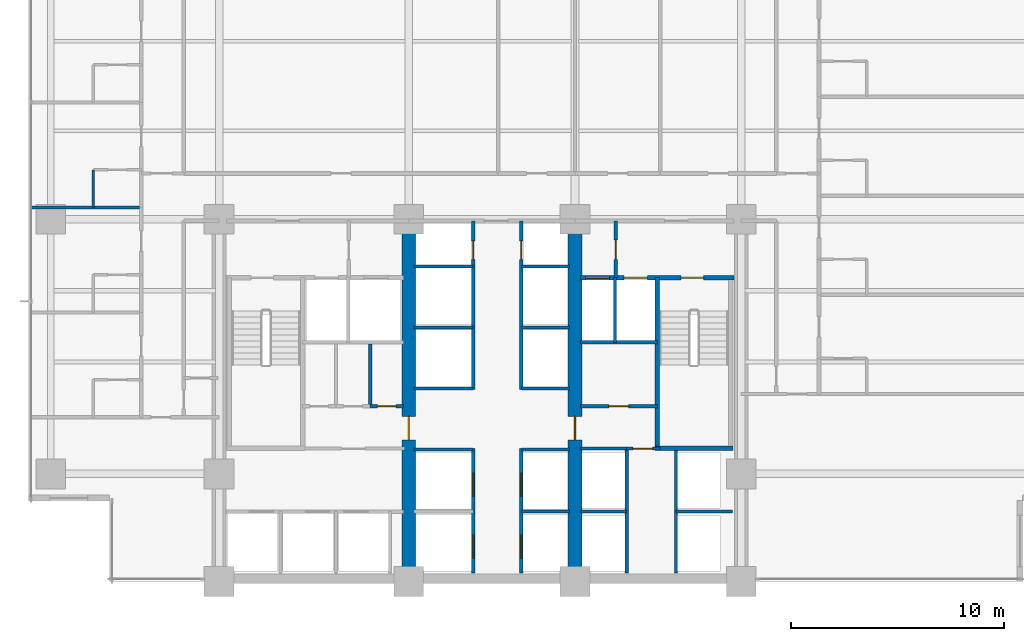
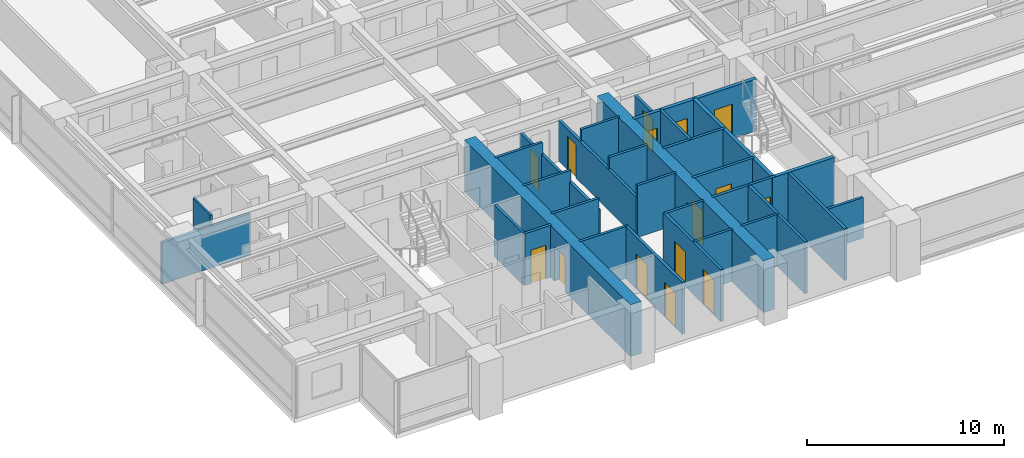
# One storey, part 8 of 16: 32 walls, 15 doors, 15 openings.
"""IFC4 building model written with IfcOpenShell, lengths in metres."""

from ifc_helpers import new_model, si_unit, direction, frame, frame_2d, origin, place, context, subcontext, project, spatial, rectangle, extrude, material, layer, layer_set, type_object, element, fill, save


model = new_model("IFC4")

# Units and contexts
model_context = context("Model", 3, precision=1e-05, world=origin(), true_north=direction((0.0, 1.0)))
body_context = subcontext(model_context, "Body", "Model", "MODEL_VIEW")
ifc_project = project(units=[si_unit("LENGTHUNIT", "METRE"), si_unit("AREAUNIT", "SQUARE_METRE"), si_unit("VOLUMEUNIT", "CUBIC_METRE"), si_unit("PLANEANGLEUNIT", "RADIAN"), si_unit("MASSUNIT", "GRAM", prefix="KILO")], contexts=[model_context])

# Site, building, storey
site_placement = place(None, origin())
site = spatial("IfcSite", under=ifc_project, at=site_placement, CompositionType="ELEMENT")
building_placement = place(site_placement, origin())
building = spatial("IfcBuilding", under=site, at=building_placement, Name="Qalmaran Belvedere Hotel", CompositionType="ELEMENT")
storey_placement = place(building_placement, frame((0.0, 0.0, 57.89990234375)))
storey = spatial("IfcBuildingStorey", under=building, at=storey_placement, Name="L14", CompositionType="ELEMENT", Elevation=57.89990234375)

# Wall, opening, door
ifc_material_1 = material(Name="Concrete C60/75", Category="concrete")
ifc_layer_1 = layer(ifc_material_1, 0.64990234375, Name="Concrete C60/75")
ifc_layer_set_1 = layer_set([ifc_layer_1], Name="Concrete C60/75")
wall_type_1 = type_object("IfcWallType", Name="WL-CORE-650-C60", PredefinedType="SHEAR", material=ifc_layer_set_1)
wall_1_placement = place(storey_placement, frame((29.199951171875, 3.5, 0.0), z_axis=(0.0, 0.0, 1.0), x_axis=(0.0, 1.0, 0.0)))
wall_1 = element("IfcWall", 1, at=wall_1_placement, inside=storey, type_object=wall_type_1, Name="L14 Core West Spine Shear Wall", PredefinedType="SHEAR", context=body_context, shape_type="SweptSolid", body=[
    extrude(rectangle(XDim=16.89990234375, YDim=0.64990234375, at=frame_2d((8.449951171875, 0.0))), origin(), (0.0, 0.0, 1.0), 3.22021484375),
])
opening_1_placement = place(wall_1_placement, frame((7.75, 0.0, 0.0), z_axis=(0.0, 0.0, 1.0), x_axis=(-1.0, 0.0, 0.0)))
opening_1 = element("IfcOpeningElement", 2, at=opening_1_placement, cuts=wall_1, Name="Opening FD90", PredefinedType="OPENING", context=body_context, shape_type="SweptSolid", body=[
    extrude(rectangle(XDim=1.10009765625, YDim=2.14990234375, at=frame_2d((0.550048828125, 1.074951171875))), frame((0.0, 0.3349609375, 0.0), z_axis=(0.0, -1.0, 0.0), x_axis=(1.0, 0.0, 0.0)), (0.0, 0.0, 1.0), 0.669921875),
])
ifc_material_2 = material(Name="Steel S355JR", Category="steel")
door_type_1 = type_object("IfcDoorType", Name="DR-FD90-1100X2150", OperationType="NOTDEFINED", PredefinedType="DOOR", material=ifc_material_2)
door_1_placement = place(opening_1_placement, origin())
door_1 = element("IfcDoor", 3, at=door_1_placement, inside=storey, type_object=door_type_1, Name="L14 Core West Cross-Lobby Door", OperationType="SINGLE_SWING_RIGHT", OverallHeight=2.14990234375, OverallWidth=1.10009765625, PredefinedType="DOOR", context=body_context, shape_type="SweptSolid", body=[
    extrude(rectangle(XDim=1.10009765625, YDim=2.14990234375, at=frame_2d((0.550048828125, 1.074951171875))), frame((0.0, 0.02490234375, 0.0), z_axis=(0.0, -1.0, 0.0), x_axis=(1.0, 0.0, 0.0)), (0.0, 0.0, 1.0), 0.050048828125),
])
fill(opening_1, door_1)

wall_2_placement = place(storey_placement, frame((37.0, 3.5, 0.0), z_axis=(0.0, 0.0, 1.0), x_axis=(0.0, 1.0, 0.0)))
wall_2 = element("IfcWall", 4, at=wall_2_placement, inside=storey, type_object=wall_type_1, Name="L14 Core East Spine Shear Wall", PredefinedType="SHEAR", context=body_context, shape_type="SweptSolid", body=[
    extrude(rectangle(XDim=16.89990234375, YDim=0.64990234375, at=frame_2d((8.449951171875, 0.0))), origin(), (0.0, 0.0, 1.0), 3.22021484375),
])
opening_2_placement = place(wall_2_placement, frame((6.64990234375, 0.0, 0.0)))
opening_2 = element("IfcOpeningElement", 5, at=opening_2_placement, cuts=wall_2, Name="Opening FD90", PredefinedType="OPENING", context=body_context, shape_type="SweptSolid", body=[
    extrude(rectangle(XDim=1.10009765625, YDim=2.14990234375, at=frame_2d((0.550048828125, 1.074951171875))), frame((0.0, 0.3349609375, 0.0), z_axis=(0.0, -1.0, 0.0), x_axis=(1.0, 0.0, 0.0)), (0.0, 0.0, 1.0), 0.669921875),
])
door_2_placement = place(opening_2_placement, origin())
door_2 = element("IfcDoor", 6, at=door_2_placement, inside=storey, type_object=door_type_1, Name="L14 Core East Cross-Lobby Door", OperationType="SINGLE_SWING_LEFT", OverallHeight=2.14990234375, OverallWidth=1.10009765625, PredefinedType="DOOR", context=body_context, shape_type="SweptSolid", body=[
    extrude(rectangle(XDim=1.10009765625, YDim=2.14990234375, at=frame_2d((0.550048828125, 1.074951171875))), frame((0.0, 0.02490234375, 0.0), z_axis=(0.0, -1.0, 0.0), x_axis=(1.0, 0.0, 0.0)), (0.0, 0.0, 1.0), 0.050048828125),
])
fill(opening_2, door_2)

# Walls
ifc_material_3 = material(Name="Moisture-Resistant Gypsum")
ifc_layer_2 = layer(ifc_material_3, 0.1201171875, Name="Moisture-Resistant Gypsum")
ifc_layer_set_2 = layer_set([ifc_layer_2], Name="Moisture-Resistant Gypsum")
wall_type_2 = type_object("IfcWallType", Name="WL-INT-120-BATH", PredefinedType="PARTITIONING", material=ifc_layer_set_2)
wall_3_placement = place(storey_placement, frame((14.39990234375, 21.050048828125, 0.0), z_axis=(0.0, 0.0, 1.0), x_axis=(0.0, 1.0, 0.0)))
element("IfcWall", 7, at=wall_3_placement, inside=storey, type_object=wall_type_2, Name="L14 Partition WL-L14-WBS02", PredefinedType="PARTITIONING", context=body_context, shape_type="SweptSolid", body=[
    extrude(rectangle(XDim=1.77001953125, YDim=0.1201171875, at=frame_2d((0.885009765625, 0.0))), origin(), (0.0, 0.0, 1.0), 3.22021484375),
])
ifc_material_4 = material(Name="Gypsum Stud Partition")
ifc_layer_3 = layer(ifc_material_4, 0.14990234375, Name="Gypsum Stud Partition")
ifc_layer_set_3 = layer_set([ifc_layer_3], Name="Gypsum Stud Partition")
wall_type_3 = type_object("IfcWallType", Name="WL-INT-150-EI120", PredefinedType="PARTITIONING", material=ifc_layer_set_3)
wall_4_placement = place(storey_placement, frame((38.8798828125, 14.719970703125, 0.0), z_axis=(0.0, 0.0, 1.0), x_axis=(0.0, 1.0, 0.0)))
element("IfcWall", 8, at=wall_4_placement, inside=storey, type_object=wall_type_3, Name="L14 Partition WL-FF2M-L14", PredefinedType="PARTITIONING", context=body_context, shape_type="SweptSolid", body=[
    extrude(rectangle(XDim=3.0400390625, YDim=0.14990234375, at=frame_2d((1.52001953125, 0.0))), origin(), (0.0, 0.0, 1.0), 3.22021484375),
])
wall_5_placement = place(storey_placement, frame((37.25, 6.780029296875, 0.0), z_axis=(0.0, 0.0, 1.0), x_axis=(1.0, 0.0, 0.0)))
element("IfcWall", 9, at=wall_5_placement, inside=storey, type_object=wall_type_3, Name="L14 Partition WL-PHMW-L14", PredefinedType="PARTITIONING", context=body_context, shape_type="SweptSolid", body=[
    extrude(rectangle(XDim=2.169921875, YDim=0.14990234375, at=frame_2d((1.0849609375, 0.0))), origin(), (0.0, 0.0, 1.0), 3.22021484375),
])
wall_6_placement = place(storey_placement, frame((41.739990234375, 6.780029296875, 0.0), z_axis=(0.0, 0.0, 1.0), x_axis=(1.0, 0.0, 0.0)))
element("IfcWall", 10, at=wall_6_placement, inside=storey, type_object=wall_type_3, Name="L14 Partition WL-PHME-L14", PredefinedType="PARTITIONING", context=body_context, shape_type="SweptSolid", body=[
    extrude(rectangle(XDim=2.659912109375, YDim=0.14990234375, at=frame_2d((1.330078125, 0.0))), origin(), (0.0, 0.0, 1.0), 2.510009765625),
])
wall_7_placement = place(storey_placement, frame((34.47998046875, 6.780029296875, 0.0), z_axis=(0.0, 0.0, 1.0), x_axis=(1.0, 0.0, 0.0)))
element("IfcWall", 11, at=wall_7_placement, inside=storey, type_object=wall_type_3, Name="L14 Partition WL-PLE-L14-67", PredefinedType="PARTITIONING", context=body_context, shape_type="SweptSolid", body=[
    extrude(rectangle(XDim=2.27001953125, YDim=0.14990234375, at=frame_2d((1.135009765625, 0.0))), origin(), (0.0, 0.0, 1.0), 3.22021484375),
])
wall_8_placement = place(storey_placement, frame((29.449951171875, 9.699951171875, 0.0), z_axis=(0.0, 0.0, 1.0), x_axis=(1.0, 0.0, 0.0)))
element("IfcWall", 12, at=wall_8_placement, inside=storey, type_object=wall_type_3, Name="L14 Partition WL-PLW-L14-97", PredefinedType="PARTITIONING", context=body_context, shape_type="SweptSolid", body=[
    extrude(rectangle(XDim=2.77001953125, YDim=0.14990234375, at=frame_2d((1.385009765625, 0.0))), origin(), (0.0, 0.0, 1.0), 3.22021484375),
])
wall_9_placement = place(storey_placement, frame((34.47998046875, 9.699951171875, 0.0), z_axis=(0.0, 0.0, 1.0), x_axis=(1.0, 0.0, 0.0)))
element("IfcWall", 13, at=wall_9_placement, inside=storey, type_object=wall_type_3, Name="L14 Partition WL-PLE-L14-97", PredefinedType="PARTITIONING", context=body_context, shape_type="SweptSolid", body=[
    extrude(rectangle(XDim=2.27001953125, YDim=0.14990234375, at=frame_2d((1.135009765625, 0.0))), origin(), (0.0, 0.0, 1.0), 3.22021484375),
])
wall_10_placement = place(storey_placement, frame((29.449951171875, 12.550048828125, 0.0), z_axis=(0.0, 0.0, 1.0), x_axis=(1.0, 0.0, 0.0)))
element("IfcWall", 14, at=wall_10_placement, inside=storey, type_object=wall_type_3, Name="L14 Partition WL-PMW-L14-125", PredefinedType="PARTITIONING", context=body_context, shape_type="SweptSolid", body=[
    extrude(rectangle(XDim=2.77001953125, YDim=0.14990234375, at=frame_2d((1.385009765625, 0.0))), origin(), (0.0, 0.0, 1.0), 3.22021484375),
])
wall_11_placement = place(storey_placement, frame((34.47998046875, 12.550048828125, 0.0), z_axis=(0.0, 0.0, 1.0), x_axis=(1.0, 0.0, 0.0)))
element("IfcWall", 15, at=wall_11_placement, inside=storey, type_object=wall_type_3, Name="L14 Partition WL-PME-L14-125", PredefinedType="PARTITIONING", context=body_context, shape_type="SweptSolid", body=[
    extrude(rectangle(XDim=2.27001953125, YDim=0.14990234375, at=frame_2d((1.135009765625, 0.0))), origin(), (0.0, 0.0, 1.0), 3.22021484375),
])
wall_12_placement = place(storey_placement, frame((29.449951171875, 15.419921875, 0.0), z_axis=(0.0, 0.0, 1.0), x_axis=(1.0, 0.0, 0.0)))
element("IfcWall", 16, at=wall_12_placement, inside=storey, type_object=wall_type_3, Name="L14 Partition WL-PMW-L14-154", PredefinedType="PARTITIONING", context=body_context, shape_type="SweptSolid", body=[
    extrude(rectangle(XDim=2.77001953125, YDim=0.14990234375, at=frame_2d((1.385009765625, 0.0))), origin(), (0.0, 0.0, 1.0), 3.22021484375),
])
wall_13_placement = place(storey_placement, frame((34.47998046875, 15.419921875, 0.0), z_axis=(0.0, 0.0, 1.0), x_axis=(1.0, 0.0, 0.0)))
element("IfcWall", 17, at=wall_13_placement, inside=storey, type_object=wall_type_3, Name="L14 Partition WL-PME-L14-154", PredefinedType="PARTITIONING", context=body_context, shape_type="SweptSolid", body=[
    extrude(rectangle(XDim=2.27001953125, YDim=0.14990234375, at=frame_2d((1.135009765625, 0.0))), origin(), (0.0, 0.0, 1.0), 3.22021484375),
])
wall_14_placement = place(storey_placement, frame((29.449951171875, 18.280029296875, 0.0), z_axis=(0.0, 0.0, 1.0), x_axis=(1.0, 0.0, 0.0)))
element("IfcWall", 18, at=wall_14_placement, inside=storey, type_object=wall_type_3, Name="L14 Partition WL-PMW-L14-182", PredefinedType="PARTITIONING", context=body_context, shape_type="SweptSolid", body=[
    extrude(rectangle(XDim=2.77001953125, YDim=0.14990234375, at=frame_2d((1.385009765625, 0.0))), origin(), (0.0, 0.0, 1.0), 3.22021484375),
])
wall_15_placement = place(storey_placement, frame((34.47998046875, 18.280029296875, 0.0), z_axis=(0.0, 0.0, 1.0), x_axis=(1.0, 0.0, 0.0)))
element("IfcWall", 19, at=wall_15_placement, inside=storey, type_object=wall_type_3, Name="L14 Partition WL-PME-L14-182", PredefinedType="PARTITIONING", context=body_context, shape_type="SweptSolid", body=[
    extrude(rectangle(XDim=2.27001953125, YDim=0.14990234375, at=frame_2d((1.135009765625, 0.0))), origin(), (0.0, 0.0, 1.0), 3.22021484375),
])
ifc_layer_4 = layer(ifc_material_4, 0.14990234375, Name="Gypsum Stud Partition")
ifc_layer_set_4 = layer_set([ifc_layer_4], Name="Gypsum Stud Partition")
wall_type_4 = type_object("IfcWallType", Name="WL-INT-150-EI60", PredefinedType="PARTITIONING", material=ifc_layer_set_4)
wall_16_placement = place(storey_placement, frame((27.38916015625, 11.719970703125, 0.0), z_axis=(0.0, 0.0, 1.0), x_axis=(0.0, 1.0, 0.0)))
element("IfcWall", 20, at=wall_16_placement, inside=storey, type_object=wall_type_4, Name="L14 Partition WL-L14-KWV2", PredefinedType="PARTITIONING", context=body_context, shape_type="SweptSolid", body=[
    extrude(rectangle(XDim=2.929931640625, YDim=0.14990234375, at=frame_2d((1.46484375, 0.0))), origin(), (0.0, 0.0, 1.0), 3.22021484375),
])

# Wall, opening, door
ifc_layer_5 = layer(ifc_material_4, 0.159912109375, Name="Gypsum Stud Partition")
ifc_layer_set_5 = layer_set([ifc_layer_5], Name="Gypsum Stud Partition")
wall_type_5 = type_object("IfcWallType", Name="WL-INT-160-EI120", PredefinedType="PARTITIONING", material=ifc_layer_set_5)
wall_17_placement = place(storey_placement, frame((38.919921875, 17.760009765625, 0.0), z_axis=(0.0, 0.0, 1.0), x_axis=(0.0, 1.0, 0.0)))
wall_17 = element("IfcWall", 21, at=wall_17_placement, inside=storey, type_object=wall_type_5, Name="L14 Partition WL-FFSV2-L14", PredefinedType="PARTITIONING", context=body_context, shape_type="SweptSolid", body=[
    extrude(rectangle(XDim=2.659912109375, YDim=0.159912109375, at=frame_2d((1.330078125, 0.0))), origin(), (0.0, 0.0, 1.0), 2.510009765625),
])
opening_3_placement = place(wall_17_placement, frame((1.77001953125, 0.0, 0.0), z_axis=(0.0, 0.0, 1.0), x_axis=(-1.0, 0.0, 0.0)))
opening_3 = element("IfcOpeningElement", 22, at=opening_3_placement, cuts=wall_17, Name="Opening FD60S1", PredefinedType="OPENING", context=body_context, shape_type="SweptSolid", body=[
    extrude(rectangle(XDim=0.919921875, YDim=2.080078125, at=frame_2d((0.4599609375, 1.0400390625))), frame((0.0, 0.08984375, 0.0), z_axis=(0.0, -1.0, 0.0), x_axis=(1.0, 0.0, 0.0)), (0.0, 0.0, 1.0), 0.179931640625),
])
ifc_material_5 = material(Name="Engineered Oak Veneer")
door_type_2 = type_object("IfcDoorType", Name="DR-FD60S-920X2080", OperationType="NOTDEFINED", PredefinedType="DOOR", material=ifc_material_5)
door_3_placement = place(opening_3_placement, origin())
door_3 = element("IfcDoor", 23, at=door_3_placement, inside=storey, type_object=door_type_2, Name="L14 Service Lobby East Door", OperationType="SINGLE_SWING_LEFT", OverallHeight=2.080078125, OverallWidth=0.919921875, PredefinedType="DOOR", context=body_context, shape_type="SweptSolid", body=[
    extrude(rectangle(XDim=0.919921875, YDim=2.080078125, at=frame_2d((0.4599609375, 1.0400390625))), frame((0.0, 0.02490234375, 0.0), z_axis=(0.0, -1.0, 0.0), x_axis=(1.0, 0.0, 0.0)), (0.0, 0.0, 1.0), 0.050048828125),
])
fill(opening_3, door_3)

# Walls
wall_18_placement = place(storey_placement, frame((37.25, 14.719970703125, 0.0), z_axis=(0.0, 0.0, 1.0), x_axis=(1.0, 0.0, 0.0)))
element("IfcWall", 24, at=wall_18_placement, inside=storey, type_object=wall_type_5, Name="L14 Partition WL-FF2S-L14", PredefinedType="PARTITIONING", context=body_context, shape_type="SweptSolid", body=[
    extrude(rectangle(XDim=3.610107421875, YDim=0.159912109375, at=frame_2d((1.80517578125, 0.0))), origin(), (0.0, 0.0, 1.0), 3.22021484375),
])
for number, where, z_axis, x_axis, name in (
    (25, (39.419921875, 3.89990234375, 0.0), (0.0, 0.0, 1.0), (0.0, 1.0, 0.0), "L14 Partition WL-PHW-L14"),
    (26, (41.739990234375, 3.89990234375, 0.0), (0.0, 0.0, 1.0), (0.0, 1.0, 0.0), "L14 Partition WL-PHE-L14"),
):
    element("IfcWall", number, at=place(storey_placement, frame(where, z_axis=z_axis, x_axis=x_axis)), inside=storey, type_object=wall_type_5, Name=name, PredefinedType="PARTITIONING", context=body_context, shape_type="SweptSolid", body=[
        extrude(rectangle(XDim=5.840087890625, YDim=0.159912109375, at=frame_2d((2.919921875, 0.0))), origin(), (0.0, 0.0, 1.0), 3.22021484375),
    ])
wall_19_placement = place(storey_placement, frame((37.25, 9.739990234375, 0.0), z_axis=(0.0, 0.0, 1.0), x_axis=(1.0, 0.0, 0.0)))
element("IfcWall", 27, at=wall_19_placement, inside=storey, type_object=wall_type_5, Name="L14 Partition WL-PHNW-L14", PredefinedType="PARTITIONING", context=body_context, shape_type="SweptSolid", body=[
    extrude(rectangle(XDim=2.169921875, YDim=0.159912109375, at=frame_2d((1.0849609375, 0.0))), origin(), (0.0, 0.0, 1.0), 3.22021484375),
])

# Wall, opening, door
wall_20_placement = place(storey_placement, frame((39.419921875, 9.739990234375, 0.0), z_axis=(0.0, 0.0, 1.0), x_axis=(1.0, 0.0, 0.0)))
wall_20 = element("IfcWall", 28, at=wall_20_placement, inside=storey, type_object=wall_type_5, Name="L14 Partition WL-PHNL-L14", PredefinedType="PARTITIONING", context=body_context, shape_type="SweptSolid", body=[
    extrude(rectangle(XDim=1.56005859375, YDim=0.159912109375, at=frame_2d((0.780029296875, 0.0))), origin(), (0.0, 0.0, 1.0), 3.22021484375),
])
opening_4_placement = place(wall_20_placement, frame((0.300048828125, 0.0, 0.0)))
opening_4 = element("IfcOpeningElement", 29, at=opening_4_placement, cuts=wall_20, Name="Opening FD60S1", PredefinedType="OPENING", context=body_context, shape_type="SweptSolid", body=[
    extrude(rectangle(XDim=0.919921875, YDim=2.080078125, at=frame_2d((0.4599609375, 1.0400390625))), frame((0.0, 0.08984375, 0.0), z_axis=(0.0, -1.0, 0.0), x_axis=(1.0, 0.0, 0.0)), (0.0, 0.0, 1.0), 0.179931640625),
])
door_4_placement = place(opening_4_placement, origin())
door_4 = element("IfcDoor", 30, at=door_4_placement, inside=storey, type_object=door_type_2, Name="L14 High-Rise Lift Lobby Passage Door", OperationType="SINGLE_SWING_RIGHT", OverallHeight=2.080078125, OverallWidth=0.919921875, PredefinedType="DOOR", context=body_context, shape_type="SweptSolid", body=[
    extrude(rectangle(XDim=0.919921875, YDim=2.080078125, at=frame_2d((0.4599609375, 1.0400390625))), frame((0.0, 0.02490234375, 0.0), z_axis=(0.0, -1.0, 0.0), x_axis=(1.0, 0.0, 0.0)), (0.0, 0.0, 1.0), 0.050048828125),
])
fill(opening_4, door_4)

# Wall, openings, doors
wall_21_placement = place(storey_placement, frame((32.219970703125, 3.89990234375, 0.0), z_axis=(0.0, 0.0, 1.0), x_axis=(0.0, 1.0, 0.0)))
wall_21 = element("IfcWall", 31, at=wall_21_placement, inside=storey, type_object=wall_type_5, Name="L14 Partition WL-CLBWS-L14", PredefinedType="PARTITIONING", context=body_context, shape_type="SweptSolid", body=[
    extrude(rectangle(XDim=5.840087890625, YDim=0.159912109375, at=frame_2d((2.919921875, 0.0))), origin(), (0.0, 0.0, 1.0), 3.22021484375),
])
opening_5_placement = place(wall_21_placement, frame((1.780029296875, 0.0, 0.0), z_axis=(0.0, 0.0, 1.0), x_axis=(-1.0, 0.0, 0.0)))
opening_5 = element("IfcOpeningElement", 32, at=opening_5_placement, cuts=wall_21, Name="Opening LD-P1", PredefinedType="OPENING", context=body_context, shape_type="SweptSolid", body=[
    extrude(rectangle(XDim=1.080078125, YDim=2.159912109375, at=frame_2d((0.5400390625, 1.080078125))), frame((0.0, 0.08984375, 0.0), z_axis=(0.0, -1.0, 0.0), x_axis=(1.0, 0.0, 0.0)), (0.0, 0.0, 1.0), 0.179931640625),
])
opening_6_placement = place(wall_21_placement, frame((4.68017578125, 0.0, 0.0), z_axis=(0.0, 0.0, 1.0), x_axis=(-1.0, 0.0, 0.0)))
opening_6 = element("IfcOpeningElement", 33, at=opening_6_placement, cuts=wall_21, Name="Opening LD-P1", PredefinedType="OPENING", context=body_context, shape_type="SweptSolid", body=[
    extrude(rectangle(XDim=1.080078125, YDim=2.159912109375, at=frame_2d((0.5400390625, 1.080078125))), frame((0.0, 0.08984375, 0.0), z_axis=(0.0, -1.0, 0.0), x_axis=(1.0, 0.0, 0.0)), (0.0, 0.0, 1.0), 0.179931640625),
])
ifc_material_6 = material(Name="Stainless Steel 1.4401", Category="steel")
door_type_3 = type_object("IfcDoorType", Name="DR-LIFT-P1-1080X2160", OperationType="DOUBLE_DOOR_SLIDING", PredefinedType="DOOR", material=ifc_material_6)
door_5_placement = place(opening_5_placement, origin())
door_5 = element("IfcDoor", 34, at=door_5_placement, inside=storey, type_object=door_type_3, Name="L14 PL1 Lift Landing Door", OperationType="DOUBLE_DOOR_SLIDING", OverallHeight=2.159912109375, OverallWidth=1.080078125, PredefinedType="DOOR", context=body_context, shape_type="SweptSolid", body=[
    extrude(rectangle(XDim=1.080078125, YDim=2.159912109375, at=frame_2d((0.5400390625, 1.080078125))), frame((0.0, 0.02490234375, 0.0), z_axis=(0.0, -1.0, 0.0), x_axis=(1.0, 0.0, 0.0)), (0.0, 0.0, 1.0), 0.050048828125),
])
fill(opening_5, door_5)
door_6_placement = place(opening_6_placement, origin())
door_6 = element("IfcDoor", 35, at=door_6_placement, inside=storey, type_object=door_type_3, Name="L14 PL2 Lift Landing Door", OperationType="DOUBLE_DOOR_SLIDING", OverallHeight=2.159912109375, OverallWidth=1.080078125, PredefinedType="DOOR", context=body_context, shape_type="SweptSolid", body=[
    extrude(rectangle(XDim=1.080078125, YDim=2.159912109375, at=frame_2d((0.5400390625, 1.080078125))), frame((0.0, 0.02490234375, 0.0), z_axis=(0.0, -1.0, 0.0), x_axis=(1.0, 0.0, 0.0)), (0.0, 0.0, 1.0), 0.050048828125),
])
fill(opening_6, door_6)

wall_22_placement = place(storey_placement, frame((34.47998046875, 3.89990234375, 0.0), z_axis=(0.0, 0.0, 1.0), x_axis=(0.0, 1.0, 0.0)))
wall_22 = element("IfcWall", 36, at=wall_22_placement, inside=storey, type_object=wall_type_5, Name="L14 Partition WL-CLBES-L14", PredefinedType="PARTITIONING", context=body_context, shape_type="SweptSolid", body=[
    extrude(rectangle(XDim=5.840087890625, YDim=0.159912109375, at=frame_2d((2.919921875, 0.0))), origin(), (0.0, 0.0, 1.0), 3.22021484375),
])
opening_7_placement = place(wall_22_placement, frame((0.699951171875, 0.0, 0.0)))
opening_7 = element("IfcOpeningElement", 37, at=opening_7_placement, cuts=wall_22, Name="Opening LD-P1", PredefinedType="OPENING", context=body_context, shape_type="SweptSolid", body=[
    extrude(rectangle(XDim=1.080078125, YDim=2.159912109375, at=frame_2d((0.5400390625, 1.080078125))), frame((0.0, 0.08984375, 0.0), z_axis=(0.0, -1.0, 0.0), x_axis=(1.0, 0.0, 0.0)), (0.0, 0.0, 1.0), 0.179931640625),
])
opening_8_placement = place(wall_22_placement, frame((3.60009765625, 0.0, 0.0)))
opening_8 = element("IfcOpeningElement", 38, at=opening_8_placement, cuts=wall_22, Name="Opening LD-P1", PredefinedType="OPENING", context=body_context, shape_type="SweptSolid", body=[
    extrude(rectangle(XDim=1.080078125, YDim=2.159912109375, at=frame_2d((0.5400390625, 1.080078125))), frame((0.0, 0.08984375, 0.0), z_axis=(0.0, -1.0, 0.0), x_axis=(1.0, 0.0, 0.0)), (0.0, 0.0, 1.0), 0.179931640625),
])
door_7_placement = place(opening_7_placement, origin())
door_7 = element("IfcDoor", 39, at=door_7_placement, inside=storey, type_object=door_type_3, Name="L14 PL3 Lift Landing Door", OperationType="DOUBLE_DOOR_SLIDING", OverallHeight=2.159912109375, OverallWidth=1.080078125, PredefinedType="DOOR", context=body_context, shape_type="SweptSolid", body=[
    extrude(rectangle(XDim=1.080078125, YDim=2.159912109375, at=frame_2d((0.5400390625, 1.080078125))), frame((0.0, 0.02490234375, 0.0), z_axis=(0.0, -1.0, 0.0), x_axis=(1.0, 0.0, 0.0)), (0.0, 0.0, 1.0), 0.050048828125),
])
fill(opening_7, door_7)
door_8_placement = place(opening_8_placement, origin())
door_8 = element("IfcDoor", 40, at=door_8_placement, inside=storey, type_object=door_type_3, Name="L14 PL4 Lift Landing Door", OperationType="DOUBLE_DOOR_SLIDING", OverallHeight=2.159912109375, OverallWidth=1.080078125, PredefinedType="DOOR", context=body_context, shape_type="SweptSolid", body=[
    extrude(rectangle(XDim=1.080078125, YDim=2.159912109375, at=frame_2d((0.5400390625, 1.080078125))), frame((0.0, 0.02490234375, 0.0), z_axis=(0.0, -1.0, 0.0), x_axis=(1.0, 0.0, 0.0)), (0.0, 0.0, 1.0), 0.050048828125),
])
fill(opening_8, door_8)

# Wall, opening, door
wall_23_placement = place(storey_placement, frame((32.219970703125, 12.5, 0.0), z_axis=(0.0, 0.0, 1.0), x_axis=(0.0, 1.0, 0.0)))
wall_23 = element("IfcWall", 41, at=wall_23_placement, inside=storey, type_object=wall_type_5, Name="L14 Partition WL-CLBWN-L14", PredefinedType="PARTITIONING", context=body_context, shape_type="SweptSolid", body=[
    extrude(rectangle(XDim=7.919921875, YDim=0.159912109375, at=frame_2d((3.9599609375, 0.0))), origin(), (0.0, 0.0, 1.0), 2.510009765625),
])
opening_9_placement = place(wall_23_placement, frame((6.10009765625, 0.0, 0.0)))
opening_9 = element("IfcOpeningElement", 42, at=opening_9_placement, cuts=wall_23, Name="Opening FD60B", PredefinedType="OPENING", context=body_context, shape_type="SweptSolid", body=[
    extrude(rectangle(XDim=0.8798828125, YDim=2.080078125, at=frame_2d((0.43994140625, 1.0400390625))), frame((0.0, 0.08984375, 0.0), z_axis=(0.0, -1.0, 0.0), x_axis=(1.0, 0.0, 0.0)), (0.0, 0.0, 1.0), 0.179931640625),
])
door_type_4 = type_object("IfcDoorType", Name="DR-FD60B-880X2080", OperationType="NOTDEFINED", PredefinedType="DOOR", material=ifc_material_2)
door_9_placement = place(opening_9_placement, origin())
door_9 = element("IfcDoor", 43, at=door_9_placement, inside=storey, type_object=door_type_4, Name="L14 West Riser Access Door", OperationType="SINGLE_SWING_LEFT", OverallHeight=2.080078125, OverallWidth=0.8798828125, PredefinedType="DOOR", context=body_context, shape_type="SweptSolid", body=[
    extrude(rectangle(XDim=0.8798828125, YDim=2.080078125, at=frame_2d((0.43994140625, 1.0400390625))), frame((0.0, 0.02490234375, 0.0), z_axis=(0.0, -1.0, 0.0), x_axis=(1.0, 0.0, 0.0)), (0.0, 0.0, 1.0), 0.050048828125),
])
fill(opening_9, door_9)

wall_24_placement = place(storey_placement, frame((34.47998046875, 12.5, 0.0), z_axis=(0.0, 0.0, 1.0), x_axis=(0.0, 1.0, 0.0)))
wall_24 = element("IfcWall", 44, at=wall_24_placement, inside=storey, type_object=wall_type_5, Name="L14 Partition WL-CLBEN-L14", PredefinedType="PARTITIONING", context=body_context, shape_type="SweptSolid", body=[
    extrude(rectangle(XDim=7.919921875, YDim=0.159912109375, at=frame_2d((3.9599609375, 0.0))), origin(), (0.0, 0.0, 1.0), 2.510009765625),
])
opening_10_placement = place(wall_24_placement, frame((6.97998046875, 0.0, 0.0), z_axis=(0.0, 0.0, 1.0), x_axis=(-1.0, 0.0, 0.0)))
opening_10 = element("IfcOpeningElement", 45, at=opening_10_placement, cuts=wall_24, Name="Opening FD60B", PredefinedType="OPENING", context=body_context, shape_type="SweptSolid", body=[
    extrude(rectangle(XDim=0.8798828125, YDim=2.080078125, at=frame_2d((0.43994140625, 1.0400390625))), frame((0.0, 0.08984375, 0.0), z_axis=(0.0, -1.0, 0.0), x_axis=(1.0, 0.0, 0.0)), (0.0, 0.0, 1.0), 0.179931640625),
])
door_10_placement = place(opening_10_placement, origin())
door_10 = element("IfcDoor", 46, at=door_10_placement, inside=storey, type_object=door_type_4, Name="L14 East Riser Access Door", OperationType="SINGLE_SWING_RIGHT", OverallHeight=2.080078125, OverallWidth=0.8798828125, PredefinedType="DOOR", context=body_context, shape_type="SweptSolid", body=[
    extrude(rectangle(XDim=0.8798828125, YDim=2.080078125, at=frame_2d((0.43994140625, 1.0400390625))), frame((0.0, 0.02490234375, 0.0), z_axis=(0.0, -1.0, 0.0), x_axis=(1.0, 0.0, 0.0)), (0.0, 0.0, 1.0), 0.050048828125),
])
fill(opening_10, door_10)

ifc_layer_6 = layer(ifc_material_4, 0.159912109375, Name="Gypsum Stud Partition")
ifc_layer_set_6 = layer_set([ifc_layer_6], Name="Gypsum Stud Partition")
wall_type_6 = type_object("IfcWallType", Name="WL-INT-160-EI60", PredefinedType="PARTITIONING", material=ifc_layer_set_6)
wall_25_placement = place(storey_placement, frame((27.38916015625, 11.719970703125, 0.0), z_axis=(0.0, 0.0, 1.0), x_axis=(1.0, 0.0, 0.0)))
wall_25 = element("IfcWall", 47, at=wall_25_placement, inside=storey, type_object=wall_type_6, Name="L14 Partition WL-L14-KWE3", PredefinedType="PARTITIONING", context=body_context, shape_type="SweptSolid", body=[
    extrude(rectangle(XDim=1.560791015625, YDim=0.159912109375, at=frame_2d((0.7802734375, 0.0))), origin(), (0.0, 0.0, 1.0), 3.22021484375),
])
opening_11_placement = place(wall_25_placement, frame((0.340576171875, 0.0, 0.0)))
opening_11 = element("IfcOpeningElement", 48, at=opening_11_placement, cuts=wall_25, Name="Opening FD60B", PredefinedType="OPENING", context=body_context, shape_type="SweptSolid", body=[
    extrude(rectangle(XDim=0.8798828125, YDim=2.080078125, at=frame_2d((0.43994140625, 1.0400390625))), frame((0.0, 0.08984375, 0.0), z_axis=(0.0, -1.0, 0.0), x_axis=(1.0, 0.0, 0.0)), (0.0, 0.0, 1.0), 0.179931640625),
])
door_11_placement = place(opening_11_placement, origin())
door_11 = element("IfcDoor", 49, at=door_11_placement, inside=storey, type_object=door_type_4, Name="L14 Telecom and IT Room Door", OperationType="SINGLE_SWING_LEFT", OverallHeight=2.080078125, OverallWidth=0.8798828125, PredefinedType="DOOR", context=body_context, shape_type="SweptSolid", body=[
    extrude(rectangle(XDim=0.8798828125, YDim=2.080078125, at=frame_2d((0.43994140625, 1.0400390625))), frame((0.0, 0.02490234375, 0.0), z_axis=(0.0, -1.0, 0.0), x_axis=(1.0, 0.0, 0.0)), (0.0, 0.0, 1.0), 0.050048828125),
])
fill(opening_11, door_11)

wall_26_placement = place(storey_placement, frame((37.25, 11.719970703125, 0.0), z_axis=(0.0, 0.0, 1.0), x_axis=(1.0, 0.0, 0.0)))
wall_26 = element("IfcWall", 50, at=wall_26_placement, inside=storey, type_object=wall_type_6, Name="L14 Partition WL-L14-KEE1", PredefinedType="PARTITIONING", context=body_context, shape_type="SweptSolid", body=[
    extrude(rectangle(XDim=3.610107421875, YDim=0.159912109375, at=frame_2d((1.80517578125, 0.0))), origin(), (0.0, 0.0, 1.0), 3.22021484375),
])
opening_12_placement = place(wall_26_placement, frame((1.344970703125, 0.0, 0.0)))
opening_12 = element("IfcOpeningElement", 51, at=opening_12_placement, cuts=wall_26, Name="Opening FD60S1", PredefinedType="OPENING", context=body_context, shape_type="SweptSolid", body=[
    extrude(rectangle(XDim=0.919921875, YDim=2.080078125, at=frame_2d((0.4599609375, 1.0400390625))), frame((0.0, 0.08984375, 0.0), z_axis=(0.0, -1.0, 0.0), x_axis=(1.0, 0.0, 0.0)), (0.0, 0.0, 1.0), 0.179931640625),
])
door_12_placement = place(opening_12_placement, origin())
door_12 = element("IfcDoor", 52, at=door_12_placement, inside=storey, type_object=door_type_2, Name="L14 Guest Ice and Beverage Pantry Door", OperationType="SINGLE_SWING_RIGHT", OverallHeight=2.080078125, OverallWidth=0.919921875, PredefinedType="DOOR", context=body_context, shape_type="SweptSolid", body=[
    extrude(rectangle(XDim=0.919921875, YDim=2.080078125, at=frame_2d((0.4599609375, 1.0400390625))), frame((0.0, 0.02490234375, 0.0), z_axis=(0.0, -1.0, 0.0), x_axis=(1.0, 0.0, 0.0)), (0.0, 0.0, 1.0), 0.050048828125),
])
fill(opening_12, door_12)

# Walls
wall_27_placement = place(storey_placement, frame((11.469970703125, 21.050048828125, 0.0), z_axis=(0.0, 0.0, 1.0), x_axis=(1.0, 0.0, 0.0)))
element("IfcWall", 53, at=wall_27_placement, inside=storey, type_object=wall_type_6, Name="L14 Partition WL-L14-WU01", PredefinedType="PARTITIONING", context=body_context, shape_type="SweptSolid", body=[
    extrude(rectangle(XDim=5.179931640625, YDim=0.159912109375, at=frame_2d((2.58984375, 0.0))), origin(), (0.0, 0.0, 1.0), 2.5830078125),
])
ifc_material_7 = material(Name="Concrete C50/60", Category="concrete")
ifc_layer_7 = layer(ifc_material_7, 0.2099609375, Name="Concrete C50/60")
ifc_layer_set_7 = layer_set([ifc_layer_7], Name="Concrete C50/60")
wall_type_7 = type_object("IfcWallType", Name="WL-STAIR-210-C50", PredefinedType="SHEAR", material=ifc_layer_set_7)
wall_28_placement = place(storey_placement, frame((40.85498046875, 9.7451171875, 0.0), z_axis=(0.0, 0.0, 1.0), x_axis=(0.0, 1.0, 0.0)))
element("IfcWall", 54, at=wall_28_placement, inside=storey, type_object=wall_type_7, Name="L14 Stair ST-2 West Bearing Wall", PredefinedType="SHEAR", context=body_context, shape_type="SweptSolid", body=[
    extrude(rectangle(XDim=8.009765625, YDim=0.2099609375, at=frame_2d((4.0048828125, 0.0))), origin(), (0.0, 0.0, 1.0), 3.22021484375),
])
wall_29_placement = place(storey_placement, frame((40.75, 9.7451171875, 0.0), z_axis=(0.0, 0.0, 1.0), x_axis=(1.0, 0.0, 0.0)))
element("IfcWall", 55, at=wall_29_placement, inside=storey, type_object=wall_type_7, Name="L14 Stair ST-2 South Bearing Wall", PredefinedType="SHEAR", context=body_context, shape_type="SweptSolid", body=[
    extrude(rectangle(XDim=3.659912109375, YDim=0.2099609375, at=frame_2d((1.830078125, 0.0))), origin(), (0.0, 0.0, 1.0), 3.22021484375),
])

# Wall, openings, doors
wall_30_placement = place(storey_placement, frame((37.25, 17.7548828125, 0.0), z_axis=(0.0, 0.0, 1.0), x_axis=(1.0, 0.0, 0.0)))
wall_30 = element("IfcWall", 56, at=wall_30_placement, inside=storey, type_object=wall_type_7, Name="L14 East Lobby and Stair ST-2 North Bearing Wall", PredefinedType="SHEAR", context=body_context, shape_type="SweptSolid", body=[
    extrude(rectangle(XDim=7.199951171875, YDim=0.2099609375, at=frame_2d((3.60009765625, 0.0))), origin(), (0.0, 0.0, 1.0), 3.22021484375),
])
opening_13_placement = place(wall_30_placement, frame((0.25, 0.0, 0.0)))
opening_13 = element("IfcOpeningElement", 57, at=opening_13_placement, cuts=wall_30, Name="Opening LD-SV", PredefinedType="OPENING", context=body_context, shape_type="SweptSolid", body=[
    extrude(rectangle(XDim=1.1201171875, YDim=2.199951171875, at=frame_2d((0.56005859375, 1.10009765625))), frame((0.0, 0.114990234375, 0.0), z_axis=(0.0, -1.0, 0.0), x_axis=(1.0, 0.0, 0.0)), (0.0, 0.0, 1.0), 0.22998046875),
])
opening_14_placement = place(wall_30_placement, frame((2.050048828125, 0.0, 0.0)))
opening_14 = element("IfcOpeningElement", 58, at=opening_14_placement, cuts=wall_30, Name="Opening LD-FF", PredefinedType="OPENING", context=body_context, shape_type="SweptSolid", body=[
    extrude(rectangle(XDim=1.10009765625, YDim=2.179931640625, at=frame_2d((0.550048828125, 1.08984375))), frame((0.0, 0.114990234375, 0.0), z_axis=(0.0, -1.0, 0.0), x_axis=(1.0, 0.0, 0.0)), (0.0, 0.0, 1.0), 0.22998046875),
])
opening_15_placement = place(wall_30_placement, frame((5.780029296875, 0.0, 0.0), z_axis=(0.0, 0.0, 1.0), x_axis=(-1.0, 0.0, 0.0)))
opening_15 = element("IfcOpeningElement", 59, at=opening_15_placement, cuts=wall_30, Name="Opening FD90S2", PredefinedType="OPENING", context=body_context, shape_type="SweptSolid", body=[
    extrude(rectangle(XDim=1.050048828125, YDim=2.14990234375, at=frame_2d((0.52490234375, 1.074951171875))), frame((0.0, 0.114990234375, 0.0), z_axis=(0.0, -1.0, 0.0), x_axis=(1.0, 0.0, 0.0)), (0.0, 0.0, 1.0), 0.22998046875),
])
door_type_5 = type_object("IfcDoorType", Name="DR-FD90S-1050X2150", OperationType="NOTDEFINED", PredefinedType="DOOR", material=ifc_material_2)
door_13_placement = place(opening_15_placement, origin())
door_13 = element("IfcDoor", 60, at=door_13_placement, inside=storey, type_object=door_type_5, Name="L14 Stair ST-2 Door", OperationType="SINGLE_SWING_LEFT", OverallHeight=2.14990234375, OverallWidth=1.050048828125, PredefinedType="DOOR", context=body_context, shape_type="SweptSolid", body=[
    extrude(rectangle(XDim=1.050048828125, YDim=2.14990234375, at=frame_2d((0.52490234375, 1.074951171875))), frame((0.0, 0.02490234375, 0.0), z_axis=(0.0, -1.0, 0.0), x_axis=(1.0, 0.0, 0.0)), (0.0, 0.0, 1.0), 0.050048828125),
])
fill(opening_15, door_13)
door_type_6 = type_object("IfcDoorType", Name="DR-LIFT-FF-1100X2180", OperationType="DOUBLE_DOOR_SLIDING", PredefinedType="DOOR", material=ifc_material_6)
door_14_placement = place(opening_14_placement, origin())
door_14 = element("IfcDoor", 61, at=door_14_placement, inside=storey, type_object=door_type_6, Name="L14 FF2 Lift Landing Door", OperationType="DOUBLE_DOOR_SLIDING", OverallHeight=2.179931640625, OverallWidth=1.10009765625, PredefinedType="DOOR", context=body_context, shape_type="SweptSolid", body=[
    extrude(rectangle(XDim=1.10009765625, YDim=2.179931640625, at=frame_2d((0.550048828125, 1.08984375))), frame((0.0, 0.02490234375, 0.0), z_axis=(0.0, -1.0, 0.0), x_axis=(1.0, 0.0, 0.0)), (0.0, 0.0, 1.0), 0.050048828125),
])
fill(opening_14, door_14)
door_type_7 = type_object("IfcDoorType", Name="DR-LIFT-SV-1120X2200", OperationType="DOUBLE_DOOR_SLIDING", PredefinedType="DOOR", material=ifc_material_6)
door_15_placement = place(opening_13_placement, origin())
door_15 = element("IfcDoor", 62, at=door_15_placement, inside=storey, type_object=door_type_7, Name="L14 SV2 Lift Landing Door", OperationType="DOUBLE_DOOR_SLIDING", OverallHeight=2.199951171875, OverallWidth=1.1201171875, PredefinedType="DOOR", context=body_context, shape_type="SweptSolid", body=[
    extrude(rectangle(XDim=1.1201171875, YDim=2.199951171875, at=frame_2d((0.56005859375, 1.10009765625))), frame((0.0, 0.02490234375, 0.0), z_axis=(0.0, -1.0, 0.0), x_axis=(1.0, 0.0, 0.0)), (0.0, 0.0, 1.0), 0.050048828125),
])
fill(opening_13, door_15)

save(model, "model.ifc")
